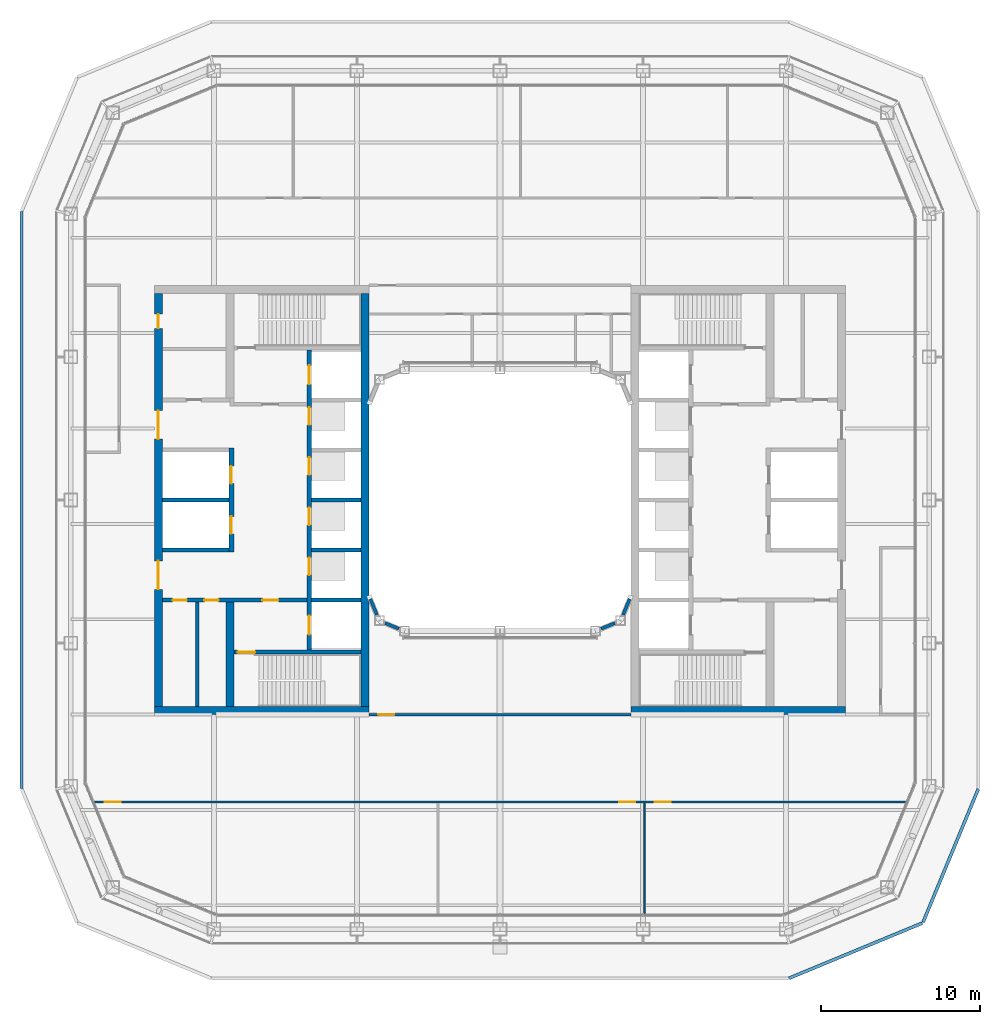
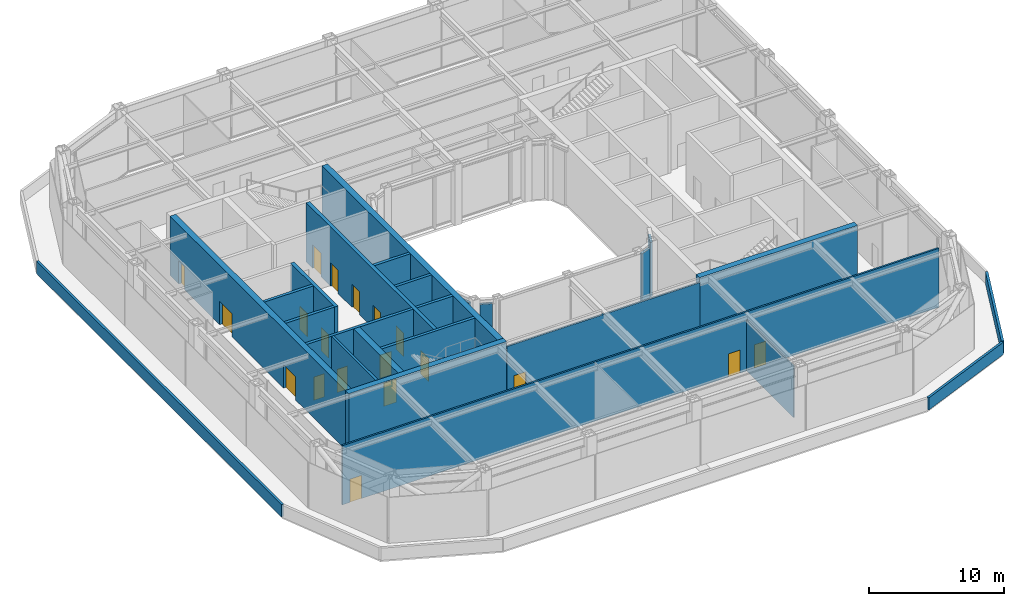
# One storey, part 11 of 19: 25 walls, 19 doors, 19 openings.
"""IFC4 building model written with IfcOpenShell, lengths in metres."""

from ifc_helpers import new_model, si_unit, direction, frame, frame_2d, origin, place, context, subcontext, project, spatial, rectangle, extrude, material, layer, layer_set, type_object, element, fill, save


model = new_model("IFC4")

# Units and contexts
model_context = context("Model", 3, precision=1e-05, world=origin(), true_north=direction((0.0, 1.0)))
body_context = subcontext(model_context, "Body", "Model", "MODEL_VIEW")
ifc_project = project(units=[si_unit("LENGTHUNIT", "METRE"), si_unit("AREAUNIT", "SQUARE_METRE"), si_unit("VOLUMEUNIT", "CUBIC_METRE"), si_unit("PLANEANGLEUNIT", "RADIAN"), si_unit("MASSUNIT", "GRAM", prefix="KILO")], contexts=[model_context])

# Site, building, storey
site_placement = place(None, origin())
site = spatial("IfcSite", under=ifc_project, at=site_placement, CompositionType="ELEMENT")
building_placement = place(site_placement, origin())
building = spatial("IfcBuilding", under=site, at=building_placement, Name="Siwar Civic Tower", CompositionType="ELEMENT")
storey_placement = place(building_placement, frame((0.0, 0.0, 187.199951171875)))
storey = spatial("IfcBuildingStorey", under=building, at=storey_placement, Name="L40", CompositionType="ELEMENT", Elevation=187.199951171875)

# Wall
ifc_material_1 = material(Name="Gypsum board on steel studs", Category="steel")
ifc_layer_1 = layer(ifc_material_1, 0.199951171875)
ifc_layer_set_1 = layer_set([ifc_layer_1], Name="Gypsum board on steel studs")
wall_type_1 = type_object("IfcWallType", Name="CORE-PARTITION-200", PredefinedType="PARTITIONING", material=ifc_layer_set_1)
wall_1_placement = place(storey_placement, frame((-19.050048828125, -13.0, 0.0), z_axis=(0.0, 0.0, 1.0), x_axis=(0.0, 1.0, 0.0)))
element("IfcWall", 1, at=wall_1_placement, inside=storey, type_object=wall_type_1, Name="Core partition W", PredefinedType="PARTITIONING", context=body_context, shape_type="SweptSolid", body=[
    extrude(rectangle(XDim=6.574951171875, YDim=0.199951171875, at=frame_2d((3.28759765625, 0.0))), origin(), (0.0, 0.0, 1.0), 5.35009765625),
])

# Wall, openings, doors
ifc_material_2 = material(Name="Concrete C60/75", Category="concrete")
ifc_layer_2 = layer(ifc_material_2, 0.25)
ifc_layer_set_2 = layer_set([ifc_layer_2], Name="Concrete C60/75")
wall_type_2 = type_object("IfcWallType", Name="CORE-WALL-RC250", PredefinedType="SHEAR", material=ifc_layer_set_2)
wall_2_placement = place(storey_placement, frame((-12.14990234375, -6.300048828125, 0.0), z_axis=(0.0, 0.0, 1.0), x_axis=(-1.0, 0.0, 0.0)))
wall_2 = element("IfcWall", 2, at=wall_2_placement, inside=storey, type_object=wall_type_2, Name="Core wall W", PredefinedType="SHEAR", context=body_context, shape_type="SweptSolid", body=[
    extrude(rectangle(XDim=9.10009765625, YDim=0.25, at=frame_2d((4.550048828125, 0.0))), origin(), (0.0, 0.0, 1.0), 5.35009765625),
])
opening_1_placement = place(wall_2_placement, frame((1.800048828125, 0.0, 0.0)))
opening_1 = element("IfcOpeningElement", 3, at=opening_1_placement, cuts=wall_2, Name="Opening L40-CW02", PredefinedType="OPENING", context=body_context, shape_type="SweptSolid", body=[
    extrude(rectangle(XDim=1.0, YDim=2.10009765625, at=frame_2d((0.5, 1.050048828125))), frame((0.0, 0.135009765625, 0.0), z_axis=(0.0, -1.0, 0.0), x_axis=(1.0, 0.0, 0.0)), (0.0, 0.0, 1.0), 0.27001953125),
])
opening_2_placement = place(wall_2_placement, frame((5.550048828125, 0.0, 0.0)))
opening_2 = element("IfcOpeningElement", 4, at=opening_2_placement, cuts=wall_2, Name="Opening L40-CW17", PredefinedType="OPENING", context=body_context, shape_type="SweptSolid", body=[
    extrude(rectangle(XDim=0.89990234375, YDim=2.10009765625, at=frame_2d((0.449951171875, 1.050048828125))), frame((0.0, 0.135009765625, 0.0), z_axis=(0.0, -1.0, 0.0), x_axis=(1.0, 0.0, 0.0)), (0.0, 0.0, 1.0), 0.27001953125),
])
opening_3_placement = place(wall_2_placement, frame((7.550048828125, 0.0, 0.0)))
opening_3 = element("IfcOpeningElement", 5, at=opening_3_placement, cuts=wall_2, Name="Opening L40-CW18", PredefinedType="OPENING", context=body_context, shape_type="SweptSolid", body=[
    extrude(rectangle(XDim=0.89990234375, YDim=2.10009765625, at=frame_2d((0.449951171875, 1.050048828125))), frame((0.0, 0.135009765625, 0.0), z_axis=(0.0, -1.0, 0.0), x_axis=(1.0, 0.0, 0.0)), (0.0, 0.0, 1.0), 0.27001953125),
])
ifc_material_3 = material(Name="Steel door leaf", Category="steel")
door_type_1 = type_object("IfcDoorType", Name="CORE-DOOR-FD30S", OperationType="SINGLE_SWING_LEFT", PredefinedType="DOOR", material=ifc_material_3)
door_1_placement = place(opening_1_placement, origin())
door_1 = element("IfcDoor", 6, at=door_1_placement, inside=storey, type_object=door_type_1, Name="Service lobby door L40-CW02", OperationType="SINGLE_SWING_RIGHT", OverallHeight=2.10009765625, OverallWidth=1.0, PredefinedType="DOOR", context=body_context, shape_type="SweptSolid", body=[
    extrude(rectangle(XDim=1.0, YDim=2.10009765625, at=frame_2d((0.5, 1.050048828125))), frame((0.0, 0.02490234375, 0.0), z_axis=(0.0, -1.0, 0.0), x_axis=(1.0, 0.0, 0.0)), (0.0, 0.0, 1.0), 0.050048828125),
])
fill(opening_1, door_1)
ifc_material_4 = material(Name="Steel door leaf", Category="steel")
door_type_2 = type_object("IfcDoorType", Name="CORE-DOOR-ROOM", OperationType="SINGLE_SWING_LEFT", PredefinedType="DOOR", material=ifc_material_4)
door_2_placement = place(opening_2_placement, origin())
door_2 = element("IfcDoor", 7, at=door_2_placement, inside=storey, type_object=door_type_2, Name="Core room door L40-CW17", OperationType="SINGLE_SWING_LEFT", OverallHeight=2.10009765625, OverallWidth=0.89990234375, PredefinedType="DOOR", context=body_context, shape_type="SweptSolid", body=[
    extrude(rectangle(XDim=0.89990234375, YDim=2.10009765625, at=frame_2d((0.449951171875, 1.050048828125))), frame((0.0, 0.02490234375, 0.0), z_axis=(0.0, -1.0, 0.0), x_axis=(1.0, 0.0, 0.0)), (0.0, 0.0, 1.0), 0.050048828125),
])
fill(opening_2, door_2)
door_3_placement = place(opening_3_placement, origin())
door_3 = element("IfcDoor", 8, at=door_3_placement, inside=storey, type_object=door_type_2, Name="Core room door L40-CW18", OperationType="SINGLE_SWING_RIGHT", OverallHeight=2.10009765625, OverallWidth=0.89990234375, PredefinedType="DOOR", context=body_context, shape_type="SweptSolid", body=[
    extrude(rectangle(XDim=0.89990234375, YDim=2.10009765625, at=frame_2d((0.449951171875, 1.050048828125))), frame((0.0, 0.02490234375, 0.0), z_axis=(0.0, -1.0, 0.0), x_axis=(1.0, 0.0, 0.0)), (0.0, 0.0, 1.0), 0.050048828125),
])
fill(opening_3, door_3)

# Walls
for number, where, z_axis, x_axis, name in (
    (9, (-17.050048828125, 0.0, 0.0), (0.0, 0.0, 1.0), (-1.0, 0.0, 0.0), "Core wall W"),
    (10, (-17.050048828125, -3.14990234375, 0.0), (0.0, 0.0, 1.0), (-1.0, 0.0, 0.0), "Core wall W"),
):
    element("IfcWall", number, at=place(storey_placement, frame(where, z_axis=z_axis, x_axis=x_axis)), inside=storey, type_object=wall_type_2, Name=name, PredefinedType="SHEAR", context=body_context, shape_type="SweptSolid", body=[
        extrude(rectangle(XDim=4.199951171875, YDim=0.25, at=frame_2d((2.10009765625, 0.0))), origin(), (0.0, 0.0, 1.0), 5.35009765625),
    ])
for number, where, z_axis, x_axis, name in (
    (11, (-8.75, 0.0, 0.0), (0.0, 0.0, 1.0), (-1.0, 0.0, 0.0), "Core wall W"),
    (12, (-8.75, -3.14990234375, 0.0), (0.0, 0.0, 1.0), (-1.0, 0.0, 0.0), "Core wall W"),
    (13, (-8.75, -6.300048828125, 0.0), (0.0, 0.0, 1.0), (-1.0, 0.0, 0.0), "Core wall W"),
):
    element("IfcWall", number, at=place(storey_placement, frame(where, z_axis=z_axis, x_axis=x_axis)), inside=storey, type_object=wall_type_2, Name=name, PredefinedType="SHEAR", context=body_context, shape_type="SweptSolid", body=[
        extrude(rectangle(XDim=3.10009765625, YDim=0.25, at=frame_2d((1.550048828125, 0.0))), origin(), (0.0, 0.0, 1.0), 5.35009765625),
    ])

# Wall, opening, door
wall_3_placement = place(storey_placement, frame((-8.75, -9.574951171875, 0.0), z_axis=(0.0, 0.0, 1.0), x_axis=(-1.0, 0.0, 0.0)))
wall_3 = element("IfcWall", 14, at=wall_3_placement, inside=storey, type_object=wall_type_2, Name="Core wall W", PredefinedType="SHEAR", context=body_context, shape_type="SweptSolid", body=[
    extrude(rectangle(XDim=8.0, YDim=0.25, at=frame_2d((4.0, 0.0))), origin(), (0.0, 0.0, 1.0), 5.35009765625),
])
opening_4_placement = place(wall_3_placement, frame((6.64990234375, 0.0, 0.0)))
opening_4 = element("IfcOpeningElement", 15, at=opening_4_placement, cuts=wall_3, Name="Opening L40-CW04", PredefinedType="OPENING", context=body_context, shape_type="SweptSolid", body=[
    extrude(rectangle(XDim=1.10009765625, YDim=2.10009765625, at=frame_2d((0.550048828125, 1.050048828125))), frame((0.0, 0.135009765625, 0.0), z_axis=(0.0, -1.0, 0.0), x_axis=(1.0, 0.0, 0.0)), (0.0, 0.0, 1.0), 0.27001953125),
])
ifc_material_5 = material(Name="Steel door leaf", Category="steel")
door_type_3 = type_object("IfcDoorType", Name="CORE-DOOR-FD60S", OperationType="SINGLE_SWING_LEFT", PredefinedType="DOOR", material=ifc_material_5)
door_4_placement = place(opening_4_placement, origin())
door_4 = element("IfcDoor", 16, at=door_4_placement, inside=storey, type_object=door_type_3, Name="Stair door L40-CW04", OperationType="SINGLE_SWING_LEFT", OverallHeight=2.10009765625, OverallWidth=1.10009765625, PredefinedType="DOOR", context=body_context, shape_type="SweptSolid", body=[
    extrude(rectangle(XDim=1.10009765625, YDim=2.10009765625, at=frame_2d((0.550048828125, 1.050048828125))), frame((0.0, 0.02490234375, 0.0), z_axis=(0.0, -1.0, 0.0), x_axis=(1.0, 0.0, 0.0)), (0.0, 0.0, 1.0), 0.050048828125),
])
fill(opening_4, door_4)

# Wall, openings, doors
ifc_material_6 = material(Name="Concrete C60/75", Category="concrete")
ifc_layer_3 = layer(ifc_material_6, 0.300048828125)
ifc_layer_set_3 = layer_set([ifc_layer_3], Name="Concrete C60/75")
wall_type_3 = type_object("IfcWallType", Name="CORE-WALL-RC300", PredefinedType="SHEAR", material=ifc_layer_set_3)
wall_4_placement = place(storey_placement, frame((-12.0, -9.449951171875, 0.0), z_axis=(0.0, 0.0, 1.0), x_axis=(0.0, 1.0, 0.0)))
wall_4 = element("IfcWall", 17, at=wall_4_placement, inside=storey, type_object=wall_type_3, Name="Core wall W", PredefinedType="SHEAR", context=body_context, shape_type="SweptSolid", body=[
    extrude(rectangle(XDim=18.89990234375, YDim=0.300048828125, at=frame_2d((9.449951171875, 0.0))), origin(), (0.0, 0.0, 1.0), 5.35009765625),
])
opening_5_placement = place(wall_4_placement, frame((4.72509765625, 0.0, 0.0)))
opening_5 = element("IfcOpeningElement", 18, at=opening_5_placement, cuts=wall_4, Name="Opening L40-CW07", PredefinedType="OPENING", context=body_context, shape_type="SweptSolid", body=[
    extrude(rectangle(XDim=1.10009765625, YDim=2.10009765625, at=frame_2d((0.550048828125, 1.050048828125))), frame((0.0, 0.16015625, 0.0), z_axis=(0.0, -1.0, 0.0), x_axis=(1.0, 0.0, 0.0)), (0.0, 0.0, 1.0), 0.320068359375),
])
opening_6_placement = place(wall_4_placement, frame((7.875, 0.0, 0.0)))
opening_6 = element("IfcOpeningElement", 19, at=opening_6_placement, cuts=wall_4, Name="Opening L40-CW08", PredefinedType="OPENING", context=body_context, shape_type="SweptSolid", body=[
    extrude(rectangle(XDim=1.10009765625, YDim=2.10009765625, at=frame_2d((0.550048828125, 1.050048828125))), frame((0.0, 0.16015625, 0.0), z_axis=(0.0, -1.0, 0.0), x_axis=(1.0, 0.0, 0.0)), (0.0, 0.0, 1.0), 0.320068359375),
])
opening_7_placement = place(wall_4_placement, frame((11.02490234375, 0.0, 0.0)))
opening_7 = element("IfcOpeningElement", 20, at=opening_7_placement, cuts=wall_4, Name="Opening L40-CW09", PredefinedType="OPENING", context=body_context, shape_type="SweptSolid", body=[
    extrude(rectangle(XDim=1.10009765625, YDim=2.10009765625, at=frame_2d((0.550048828125, 1.050048828125))), frame((0.0, 0.16015625, 0.0), z_axis=(0.0, -1.0, 0.0), x_axis=(1.0, 0.0, 0.0)), (0.0, 0.0, 1.0), 0.320068359375),
])
opening_8_placement = place(wall_4_placement, frame((14.175048828125, 0.0, 0.0)))
opening_8 = element("IfcOpeningElement", 21, at=opening_8_placement, cuts=wall_4, Name="Opening L40-CW10", PredefinedType="OPENING", context=body_context, shape_type="SweptSolid", body=[
    extrude(rectangle(XDim=1.10009765625, YDim=2.10009765625, at=frame_2d((0.550048828125, 1.050048828125))), frame((0.0, 0.16015625, 0.0), z_axis=(0.0, -1.0, 0.0), x_axis=(1.0, 0.0, 0.0)), (0.0, 0.0, 1.0), 0.320068359375),
])
opening_9_placement = place(wall_4_placement, frame((16.72509765625, 0.0, 0.0)))
opening_9 = element("IfcOpeningElement", 22, at=opening_9_placement, cuts=wall_4, Name="Opening L40-CW13", PredefinedType="OPENING", context=body_context, shape_type="SweptSolid", body=[
    extrude(rectangle(XDim=1.199951171875, YDim=2.10009765625, at=frame_2d((0.60009765625, 1.050048828125))), frame((0.0, 0.16015625, 0.0), z_axis=(0.0, -1.0, 0.0), x_axis=(1.0, 0.0, 0.0)), (0.0, 0.0, 1.0), 0.320068359375),
])
opening_10_placement = place(wall_4_placement, frame((0.97509765625, 0.0, 0.0)))
opening_10 = element("IfcOpeningElement", 23, at=opening_10_placement, cuts=wall_4, Name="Opening L40-CW14", PredefinedType="OPENING", context=body_context, shape_type="SweptSolid", body=[
    extrude(rectangle(XDim=1.199951171875, YDim=2.10009765625, at=frame_2d((0.60009765625, 1.050048828125))), frame((0.0, 0.16015625, 0.0), z_axis=(0.0, -1.0, 0.0), x_axis=(1.0, 0.0, 0.0)), (0.0, 0.0, 1.0), 0.320068359375),
])
ifc_material_7 = material(Name="Steel door leaf", Category="steel")
door_type_4 = type_object("IfcDoorType", Name="CORE-DOOR-LD", OperationType="DOUBLE_DOOR_SLIDING", PredefinedType="DOOR", material=ifc_material_7)
door_5_placement = place(opening_5_placement, origin())
door_5 = element("IfcDoor", 24, at=door_5_placement, inside=storey, type_object=door_type_4, Name="Landing door HR1 L40-CW07", OperationType="DOUBLE_DOOR_SLIDING", OverallHeight=2.10009765625, OverallWidth=1.10009765625, PredefinedType="DOOR", context=body_context, shape_type="SweptSolid", body=[
    extrude(rectangle(XDim=1.10009765625, YDim=2.10009765625, at=frame_2d((0.550048828125, 1.050048828125))), frame((0.0, 0.02490234375, 0.0), z_axis=(0.0, -1.0, 0.0), x_axis=(1.0, 0.0, 0.0)), (0.0, 0.0, 1.0), 0.050048828125),
])
fill(opening_5, door_5)
door_6_placement = place(opening_6_placement, origin())
door_6 = element("IfcDoor", 25, at=door_6_placement, inside=storey, type_object=door_type_4, Name="Landing door HR2 L40-CW08", OperationType="DOUBLE_DOOR_SLIDING", OverallHeight=2.10009765625, OverallWidth=1.10009765625, PredefinedType="DOOR", context=body_context, shape_type="SweptSolid", body=[
    extrude(rectangle(XDim=1.10009765625, YDim=2.10009765625, at=frame_2d((0.550048828125, 1.050048828125))), frame((0.0, 0.02490234375, 0.0), z_axis=(0.0, -1.0, 0.0), x_axis=(1.0, 0.0, 0.0)), (0.0, 0.0, 1.0), 0.050048828125),
])
fill(opening_6, door_6)
door_7_placement = place(opening_7_placement, origin())
door_7 = element("IfcDoor", 26, at=door_7_placement, inside=storey, type_object=door_type_4, Name="Landing door HR3 L40-CW09", OperationType="DOUBLE_DOOR_SLIDING", OverallHeight=2.10009765625, OverallWidth=1.10009765625, PredefinedType="DOOR", context=body_context, shape_type="SweptSolid", body=[
    extrude(rectangle(XDim=1.10009765625, YDim=2.10009765625, at=frame_2d((0.550048828125, 1.050048828125))), frame((0.0, 0.02490234375, 0.0), z_axis=(0.0, -1.0, 0.0), x_axis=(1.0, 0.0, 0.0)), (0.0, 0.0, 1.0), 0.050048828125),
])
fill(opening_7, door_7)
door_8_placement = place(opening_8_placement, origin())
door_8 = element("IfcDoor", 27, at=door_8_placement, inside=storey, type_object=door_type_4, Name="Landing door HR4 L40-CW10", OperationType="DOUBLE_DOOR_SLIDING", OverallHeight=2.10009765625, OverallWidth=1.10009765625, PredefinedType="DOOR", context=body_context, shape_type="SweptSolid", body=[
    extrude(rectangle(XDim=1.10009765625, YDim=2.10009765625, at=frame_2d((0.550048828125, 1.050048828125))), frame((0.0, 0.02490234375, 0.0), z_axis=(0.0, -1.0, 0.0), x_axis=(1.0, 0.0, 0.0)), (0.0, 0.0, 1.0), 0.050048828125),
])
fill(opening_8, door_8)
ifc_material_8 = material(Name="Steel door leaf", Category="steel")
door_type_5 = type_object("IfcDoorType", Name="CORE-DOOR-LDW", OperationType="DOUBLE_DOOR_SLIDING", PredefinedType="DOOR", material=ifc_material_8)
door_9_placement = place(opening_9_placement, origin())
door_9 = element("IfcDoor", 28, at=door_9_placement, inside=storey, type_object=door_type_5, Name="Landing door FF1 L40-CW13", OperationType="DOUBLE_DOOR_SLIDING", OverallHeight=2.10009765625, OverallWidth=1.199951171875, PredefinedType="DOOR", context=body_context, shape_type="SweptSolid", body=[
    extrude(rectangle(XDim=1.199951171875, YDim=2.10009765625, at=frame_2d((0.60009765625, 1.050048828125))), frame((0.0, 0.02490234375, 0.0), z_axis=(0.0, -1.0, 0.0), x_axis=(1.0, 0.0, 0.0)), (0.0, 0.0, 1.0), 0.050048828125),
])
fill(opening_9, door_9)
door_10_placement = place(opening_10_placement, origin())
door_10 = element("IfcDoor", 29, at=door_10_placement, inside=storey, type_object=door_type_5, Name="Landing door SV1 L40-CW14", OperationType="DOUBLE_DOOR_SLIDING", OverallHeight=2.10009765625, OverallWidth=1.199951171875, PredefinedType="DOOR", context=body_context, shape_type="SweptSolid", body=[
    extrude(rectangle(XDim=1.199951171875, YDim=2.10009765625, at=frame_2d((0.60009765625, 1.050048828125))), frame((0.0, 0.02490234375, 0.0), z_axis=(0.0, -1.0, 0.0), x_axis=(1.0, 0.0, 0.0)), (0.0, 0.0, 1.0), 0.050048828125),
])
fill(opening_10, door_10)

wall_5_placement = place(storey_placement, frame((-16.89990234375, -3.27490234375, 0.0), z_axis=(0.0, 0.0, 1.0), x_axis=(0.0, 1.0, 0.0)))
wall_5 = element("IfcWall", 30, at=wall_5_placement, inside=storey, type_object=wall_type_3, Name="Core wall W", PredefinedType="SHEAR", context=body_context, shape_type="SweptSolid", body=[
    extrude(rectangle(XDim=6.5498046875, YDim=0.300048828125, at=frame_2d((3.27490234375, 0.0))), origin(), (0.0, 0.0, 1.0), 5.35009765625),
])
opening_11_placement = place(wall_5_placement, frame((1.14990234375, 0.0, 0.0)))
opening_11 = element("IfcOpeningElement", 31, at=opening_11_placement, cuts=wall_5, Name="Opening L40-CW11", PredefinedType="OPENING", context=body_context, shape_type="SweptSolid", body=[
    extrude(rectangle(XDim=1.10009765625, YDim=2.10009765625, at=frame_2d((0.550048828125, 1.050048828125))), frame((0.0, 0.16015625, 0.0), z_axis=(0.0, -1.0, 0.0), x_axis=(1.0, 0.0, 0.0)), (0.0, 0.0, 1.0), 0.320068359375),
])
opening_12_placement = place(wall_5_placement, frame((4.300048828125, 0.0, 0.0)))
opening_12 = element("IfcOpeningElement", 32, at=opening_12_placement, cuts=wall_5, Name="Opening L40-CW12", PredefinedType="OPENING", context=body_context, shape_type="SweptSolid", body=[
    extrude(rectangle(XDim=1.10009765625, YDim=2.10009765625, at=frame_2d((0.550048828125, 1.050048828125))), frame((0.0, 0.16015625, 0.0), z_axis=(0.0, -1.0, 0.0), x_axis=(1.0, 0.0, 0.0)), (0.0, 0.0, 1.0), 0.320068359375),
])
door_11_placement = place(opening_11_placement, origin())
door_11 = element("IfcDoor", 33, at=door_11_placement, inside=storey, type_object=door_type_4, Name="Landing door SH1 L40-CW11", OperationType="DOUBLE_DOOR_SLIDING", OverallHeight=2.10009765625, OverallWidth=1.10009765625, PredefinedType="DOOR", context=body_context, shape_type="SweptSolid", body=[
    extrude(rectangle(XDim=1.10009765625, YDim=2.10009765625, at=frame_2d((0.550048828125, 1.050048828125))), frame((0.0, 0.02490234375, 0.0), z_axis=(0.0, -1.0, 0.0), x_axis=(1.0, 0.0, 0.0)), (0.0, 0.0, 1.0), 0.050048828125),
])
fill(opening_11, door_11)
door_12_placement = place(opening_12_placement, origin())
door_12 = element("IfcDoor", 34, at=door_12_placement, inside=storey, type_object=door_type_4, Name="Landing door SH2 L40-CW12", OperationType="DOUBLE_DOOR_SLIDING", OverallHeight=2.10009765625, OverallWidth=1.10009765625, PredefinedType="DOOR", context=body_context, shape_type="SweptSolid", body=[
    extrude(rectangle(XDim=1.10009765625, YDim=2.10009765625, at=frame_2d((0.550048828125, 1.050048828125))), frame((0.0, 0.02490234375, 0.0), z_axis=(0.0, -1.0, 0.0), x_axis=(1.0, 0.0, 0.0)), (0.0, 0.0, 1.0), 0.050048828125),
])
fill(opening_12, door_12)

ifc_material_9 = material(Name="Concrete C60/75", Category="concrete")
ifc_layer_4 = layer(ifc_material_9, 0.5)
ifc_layer_set_4 = layer_set([ifc_layer_4], Name="Concrete C60/75")
wall_type_4 = type_object("IfcWallType", Name="CORE-WALL-RC500", PredefinedType="SHEAR", material=ifc_layer_set_4)
wall_6_placement = place(storey_placement, frame((-21.5, -13.0, 0.0), z_axis=(0.0, 0.0, 1.0), x_axis=(0.0, 1.0, 0.0)))
wall_6 = element("IfcWall", 35, at=wall_6_placement, inside=storey, type_object=wall_type_4, Name="Core wall W", PredefinedType="SHEAR", context=body_context, shape_type="SweptSolid", body=[
    extrude(rectangle(XDim=26.0, YDim=0.5, at=frame_2d((13.0, 0.0))), origin(), (0.0, 0.0, 1.0), 5.35009765625),
])
opening_13_placement = place(wall_6_placement, frame((16.824951171875, 0.0, 0.0)))
opening_13 = element("IfcOpeningElement", 36, at=opening_13_placement, cuts=wall_6, Name="Opening L40-CW05", PredefinedType="OPENING", context=body_context, shape_type="SweptSolid", body=[
    extrude(rectangle(XDim=1.800048828125, YDim=2.10009765625, at=frame_2d((0.89990234375, 1.050048828125))), frame((0.0, 0.260009765625, 0.0), z_axis=(0.0, -1.0, 0.0), x_axis=(1.0, 0.0, 0.0)), (0.0, 0.0, 1.0), 0.52001953125),
])
opening_14_placement = place(wall_6_placement, frame((7.375, 0.0, 0.0)))
opening_14 = element("IfcOpeningElement", 37, at=opening_14_placement, cuts=wall_6, Name="Opening L40-CW06", PredefinedType="OPENING", context=body_context, shape_type="SweptSolid", body=[
    extrude(rectangle(XDim=1.800048828125, YDim=2.10009765625, at=frame_2d((0.89990234375, 1.050048828125))), frame((0.0, 0.260009765625, 0.0), z_axis=(0.0, -1.0, 0.0), x_axis=(1.0, 0.0, 0.0)), (0.0, 0.0, 1.0), 0.52001953125),
])
opening_15_placement = place(wall_6_placement, frame((23.800048828125, 0.0, 0.0)))
opening_15 = element("IfcOpeningElement", 38, at=opening_15_placement, cuts=wall_6, Name="Opening L40-CW16", PredefinedType="OPENING", context=body_context, shape_type="SweptSolid", body=[
    extrude(rectangle(XDim=0.89990234375, YDim=2.10009765625, at=frame_2d((0.449951171875, 1.050048828125))), frame((0.0, 0.260009765625, 0.0), z_axis=(0.0, -1.0, 0.0), x_axis=(1.0, 0.0, 0.0)), (0.0, 0.0, 1.0), 0.52001953125),
])
ifc_material_10 = material(Name="Steel door leaf", Category="steel")
door_type_6 = type_object("IfcDoorType", Name="CORE-DOOR-PORT", OperationType="DOUBLE_DOOR_DOUBLE_SWING", PredefinedType="DOOR", material=ifc_material_10)
door_13_placement = place(opening_13_placement, origin())
door_13 = element("IfcDoor", 39, at=door_13_placement, inside=storey, type_object=door_type_6, Name="Core entrance door L40-CW05", OperationType="DOUBLE_DOOR_DOUBLE_SWING", OverallHeight=2.10009765625, OverallWidth=1.800048828125, PredefinedType="DOOR", context=body_context, shape_type="SweptSolid", body=[
    extrude(rectangle(XDim=1.800048828125, YDim=2.10009765625, at=frame_2d((0.89990234375, 1.050048828125))), frame((0.0, 0.02490234375, 0.0), z_axis=(0.0, -1.0, 0.0), x_axis=(1.0, 0.0, 0.0)), (0.0, 0.0, 1.0), 0.050048828125),
])
fill(opening_13, door_13)
door_14_placement = place(opening_14_placement, origin())
door_14 = element("IfcDoor", 40, at=door_14_placement, inside=storey, type_object=door_type_6, Name="Core entrance door L40-CW06", OperationType="DOUBLE_DOOR_DOUBLE_SWING", OverallHeight=2.10009765625, OverallWidth=1.800048828125, PredefinedType="DOOR", context=body_context, shape_type="SweptSolid", body=[
    extrude(rectangle(XDim=1.800048828125, YDim=2.10009765625, at=frame_2d((0.89990234375, 1.050048828125))), frame((0.0, 0.02490234375, 0.0), z_axis=(0.0, -1.0, 0.0), x_axis=(1.0, 0.0, 0.0)), (0.0, 0.0, 1.0), 0.050048828125),
])
fill(opening_14, door_14)
door_15_placement = place(opening_15_placement, origin())
door_15 = element("IfcDoor", 41, at=door_15_placement, inside=storey, type_object=door_type_2, Name="Core room door L40-CW16", OperationType="SINGLE_SWING_LEFT", OverallHeight=2.10009765625, OverallWidth=0.89990234375, PredefinedType="DOOR", context=body_context, shape_type="SweptSolid", body=[
    extrude(rectangle(XDim=0.89990234375, YDim=2.10009765625, at=frame_2d((0.449951171875, 1.050048828125))), frame((0.0, 0.02490234375, 0.0), z_axis=(0.0, -1.0, 0.0), x_axis=(1.0, 0.0, 0.0)), (0.0, 0.0, 1.0), 0.050048828125),
])
fill(opening_15, door_15)

# Walls
wall_7_placement = place(storey_placement, frame((-17.0, -13.0, 0.0), z_axis=(0.0, 0.0, 1.0), x_axis=(0.0, 1.0, 0.0)))
element("IfcWall", 42, at=wall_7_placement, inside=storey, type_object=wall_type_4, Name="Core wall W", PredefinedType="SHEAR", context=body_context, shape_type="SweptSolid", body=[
    extrude(rectangle(XDim=6.574951171875, YDim=0.5, at=frame_2d((3.28759765625, 0.0))), origin(), (0.0, 0.0, 1.0), 5.35009765625),
])
for number, where, z_axis, x_axis, name in (
    (43, (-8.25, -13.25, 0.0), (0.0, 0.0, 1.0), (-1.0, 0.0, 0.0), "Core wall W"),
    (44, (8.25, -13.25, 0.0), (0.0, 0.0, 1.0), (1.0, 0.0, 0.0), "Core wall E"),
):
    element("IfcWall", number, at=place(storey_placement, frame(where, z_axis=z_axis, x_axis=x_axis)), inside=storey, type_object=wall_type_4, Name=name, PredefinedType="SHEAR", context=body_context, shape_type="SweptSolid", body=[
        extrude(rectangle(XDim=13.5, YDim=0.5, at=frame_2d((6.75, 0.0))), origin(), (0.0, 0.0, 1.0), 5.35009765625),
    ])
ifc_material_11 = material(Name="Concrete C60/75", Category="concrete")
ifc_layer_5 = layer(ifc_material_11, 0.5)
ifc_layer_set_5 = layer_set([ifc_layer_5], Name="Concrete C60/75")
wall_type_5 = type_object("IfcWallType", Name="CORE-WALL-RC500-EXT", PredefinedType="SHEAR", material=ifc_layer_set_5)
wall_8_placement = place(storey_placement, frame((-8.5, -13.0, 0.0), z_axis=(0.0, 0.0, 1.0), x_axis=(0.0, 1.0, 0.0)))
element("IfcWall", 45, at=wall_8_placement, inside=storey, type_object=wall_type_5, Name="Core wall W", PredefinedType="SHEAR", context=body_context, shape_type="SweptSolid", body=[
    extrude(rectangle(XDim=26.0, YDim=0.5, at=frame_2d((13.0, 0.0))), origin(), (0.0, 0.0, 1.0), 5.35009765625),
])

# Wall, openings, doors
ifc_material_12 = material(Name="Gypsum board on steel studs", Category="steel")
ifc_layer_6 = layer(ifc_material_12, 0.14990234375)
ifc_layer_set_6 = layer_set([ifc_layer_6], Name="Gypsum board on steel studs")
wall_type_6 = type_object("IfcWallType", Name="CORRIDOR PARTITION 150 EI 30", PredefinedType="PARTITIONING", material=ifc_layer_set_6)
wall_9_placement = place(storey_placement, frame((-25.513916015625, -19.0, 0.0), z_axis=(0.0, 0.0, 1.0), x_axis=(1.0, 0.0, 0.0)))
wall_9 = element("IfcWall", 46, at=wall_9_placement, inside=storey, type_object=wall_type_6, Name="L40/wall/P01", PredefinedType="PARTITIONING", context=body_context, shape_type="SweptSolid", body=[
    extrude(rectangle(XDim=51.02783203125, YDim=0.14990234375, at=frame_2d((25.513916015625, 0.0))), origin(), (0.0, 0.0, 1.0), 5.35009765625),
])
opening_16_placement = place(wall_9_placement, frame((0.64990234375, 0.0, 0.0)))
opening_16 = element("IfcOpeningElement", 47, at=opening_16_placement, cuts=wall_9, Name="Opening D1", PredefinedType="OPENING", context=body_context, shape_type="SweptSolid", body=[
    extrude(rectangle(XDim=1.0, YDim=2.10009765625, at=frame_2d((0.5, 1.050048828125))), frame((0.0, 0.0849609375, 0.0), z_axis=(0.0, -1.0, 0.0), x_axis=(1.0, 0.0, 0.0)), (0.0, 0.0, 1.0), 0.169921875),
])
opening_17_placement = place(wall_9_placement, frame((33.013916015625, 0.0, 0.0)))
opening_17 = element("IfcOpeningElement", 48, at=opening_17_placement, cuts=wall_9, Name="Opening D1", PredefinedType="OPENING", context=body_context, shape_type="SweptSolid", body=[
    extrude(rectangle(XDim=1.0, YDim=2.10009765625, at=frame_2d((0.5, 1.050048828125))), frame((0.0, 0.0849609375, 0.0), z_axis=(0.0, -1.0, 0.0), x_axis=(1.0, 0.0, 0.0)), (0.0, 0.0, 1.0), 0.169921875),
])
opening_18_placement = place(wall_9_placement, frame((35.263916015625, 0.0, 0.0)))
opening_18 = element("IfcOpeningElement", 49, at=opening_18_placement, cuts=wall_9, Name="Opening D1", PredefinedType="OPENING", context=body_context, shape_type="SweptSolid", body=[
    extrude(rectangle(XDim=1.0, YDim=2.10009765625, at=frame_2d((0.5, 1.050048828125))), frame((0.0, 0.0849609375, 0.0), z_axis=(0.0, -1.0, 0.0), x_axis=(1.0, 0.0, 0.0)), (0.0, 0.0, 1.0), 0.169921875),
])
ifc_material_13 = material(Name="Timber, painted", Category="wood")
door_type_7 = type_object("IfcDoorType", Name="DOOR 1000 X 2100 FD30", OperationType="SINGLE_SWING_LEFT", PredefinedType="DOOR", material=ifc_material_13)
door_16_placement = place(opening_16_placement, origin())
door_16 = element("IfcDoor", 50, at=door_16_placement, inside=storey, type_object=door_type_7, Name="L40-D05", OperationType="SINGLE_SWING_LEFT", OverallHeight=2.10009765625, OverallWidth=1.0, PredefinedType="DOOR", context=body_context, shape_type="SweptSolid", body=[
    extrude(rectangle(XDim=1.0, YDim=2.10009765625, at=frame_2d((0.5, 1.050048828125))), frame((0.0, 0.02490234375, 0.0), z_axis=(0.0, -1.0, 0.0), x_axis=(1.0, 0.0, 0.0)), (0.0, 0.0, 1.0), 0.050048828125),
])
fill(opening_16, door_16)
door_17_placement = place(opening_17_placement, origin())
door_17 = element("IfcDoor", 51, at=door_17_placement, inside=storey, type_object=door_type_7, Name="L40-D06", OperationType="SINGLE_SWING_RIGHT", OverallHeight=2.10009765625, OverallWidth=1.0, PredefinedType="DOOR", context=body_context, shape_type="SweptSolid", body=[
    extrude(rectangle(XDim=1.0, YDim=2.10009765625, at=frame_2d((0.5, 1.050048828125))), frame((0.0, 0.02490234375, 0.0), z_axis=(0.0, -1.0, 0.0), x_axis=(1.0, 0.0, 0.0)), (0.0, 0.0, 1.0), 0.050048828125),
])
fill(opening_17, door_17)
door_18_placement = place(opening_18_placement, origin())
door_18 = element("IfcDoor", 52, at=door_18_placement, inside=storey, type_object=door_type_7, Name="L40-D07", OperationType="SINGLE_SWING_LEFT", OverallHeight=2.10009765625, OverallWidth=1.0, PredefinedType="DOOR", context=body_context, shape_type="SweptSolid", body=[
    extrude(rectangle(XDim=1.0, YDim=2.10009765625, at=frame_2d((0.5, 1.050048828125))), frame((0.0, 0.02490234375, 0.0), z_axis=(0.0, -1.0, 0.0), x_axis=(1.0, 0.0, 0.0)), (0.0, 0.0, 1.0), 0.050048828125),
])
fill(opening_18, door_18)

# Wall, opening, door
wall_10_placement = place(storey_placement, frame((-8.25, -13.5, 0.0), z_axis=(0.0, 0.0, 1.0), x_axis=(1.0, 0.0, 0.0)))
wall_10 = element("IfcWall", 53, at=wall_10_placement, inside=storey, type_object=wall_type_6, Name="L40/wall/P02", PredefinedType="PARTITIONING", context=body_context, shape_type="SweptSolid", body=[
    extrude(rectangle(XDim=16.5, YDim=0.14990234375, at=frame_2d((8.25, 0.0))), origin(), (0.0, 0.0, 1.0), 4.949951171875),
])
opening_19_placement = place(wall_10_placement, frame((0.60009765625, 0.0, 0.0)))
opening_19 = element("IfcOpeningElement", 54, at=opening_19_placement, cuts=wall_10, Name="Opening D1", PredefinedType="OPENING", context=body_context, shape_type="SweptSolid", body=[
    extrude(rectangle(XDim=1.0, YDim=2.10009765625, at=frame_2d((0.5, 1.050048828125))), frame((0.0, 0.0849609375, 0.0), z_axis=(0.0, -1.0, 0.0), x_axis=(1.0, 0.0, 0.0)), (0.0, 0.0, 1.0), 0.169921875),
])
door_19_placement = place(opening_19_placement, origin())
door_19 = element("IfcDoor", 55, at=door_19_placement, inside=storey, type_object=door_type_7, Name="L40-D08", OperationType="SINGLE_SWING_RIGHT", OverallHeight=2.10009765625, OverallWidth=1.0, PredefinedType="DOOR", context=body_context, shape_type="SweptSolid", body=[
    extrude(rectangle(XDim=1.0, YDim=2.10009765625, at=frame_2d((0.5, 1.050048828125))), frame((0.0, 0.02490234375, 0.0), z_axis=(0.0, -1.0, 0.0), x_axis=(1.0, 0.0, 0.0)), (0.0, 0.0, 1.0), 0.050048828125),
])
fill(opening_19, door_19)

# Walls
ifc_material_14 = material(Name="Aluminium clad insulated panel", Category="aluminium")
ifc_layer_7 = layer(ifc_material_14, 0.199951171875)
ifc_layer_set_7 = layer_set([ifc_layer_7], Name="Aluminium clad insulated panel")
wall_type_7 = type_object("IfcWallType", Name="ENV-PARAPET", PredefinedType="PARAPET", material=ifc_layer_set_7)
for number, where, z_axis, x_axis, name in (
    (56, (18.1875, -30.09228515625, 0.0), (0.0, 0.0, 1.0), (0.923880028342, 0.382682235321, 0.0), "Parapet L39 roof 1.3"),
    (57, (26.621337890625, -26.567138671875, 0.0), (0.0, 0.0, 1.0), (0.382682235321, 0.923880028342, 0.0), "Parapet L39 roof 1.4"),
):
    element("IfcWall", number, at=place(storey_placement, frame(where, z_axis=z_axis, x_axis=x_axis)), inside=storey, type_object=wall_type_7, Name=name, PredefinedType="PARAPET", context=body_context, shape_type="SweptSolid", body=[
        extrude(rectangle(XDim=9.070068359375, YDim=0.199951171875, at=frame_2d((4.53515625, 0.0))), origin(), (0.0, 0.0, 1.0), 1.10009765625),
    ])
wall_11_placement = place(storey_placement, frame((-30.10009765625, 18.149169921875, 0.0), z_axis=(0.0, 0.0, 1.0), x_axis=(0.0, -1.0, 0.0)))
element("IfcWall", 58, at=wall_11_placement, inside=storey, type_object=wall_type_7, Name="Parapet L39 roof 1.11", PredefinedType="PARAPET", context=body_context, shape_type="SweptSolid", body=[
    extrude(rectangle(XDim=36.29833984375, YDim=0.199951171875, at=frame_2d((18.149169921875, 0.0))), origin(), (0.0, 0.0, 1.0), 1.10009765625),
])
ifc_material_15 = material(Name="Aluminium clad insulated panel", Category="aluminium")
ifc_layer_8 = layer(ifc_material_15, 0.199951171875)
ifc_layer_set_8 = layer_set([ifc_layer_8], Name="Aluminium clad insulated panel")
wall_type_8 = type_object("IfcWallType", Name="ENV-WALL-WELL", PredefinedType="STANDARD", material=ifc_layer_set_8)
wall_12_placement = place(storey_placement, frame((6.362060546875, -8.10009765625, 0.0), z_axis=(0.0, 0.0, 1.0), x_axis=(0.923829670615, 0.382803787458, 0.0)))
element("IfcWall", 59, at=wall_12_placement, inside=storey, type_object=wall_type_8, Name="Light well corner wall SE1", PredefinedType="STANDARD", context=body_context, shape_type="SweptSolid", body=[
    extrude(rectangle(XDim=0.938232421875, YDim=0.199951171875, at=frame_2d((0.46923828125, 0.0))), origin(), (0.0, 0.0, 1.0), 4.91796875),
])
for number, where, z_axis, x_axis, name in (
    (60, (7.740966796875, -7.228759765625, 0.0), (0.0, 0.0, 1.0), (0.382704496366, 0.923870807235, 0.0), "Light well corner wall SE2"),
    (61, (-8.154296875, -6.23095703125, 0.0), (0.0, 0.0, 1.0), (0.382704496366, -0.923870807235, 0.0), "Light well corner wall SW1"),
):
    element("IfcWall", number, at=place(storey_placement, frame(where, z_axis=z_axis, x_axis=x_axis)), inside=storey, type_object=wall_type_8, Name=name, PredefinedType="STANDARD", context=body_context, shape_type="SweptSolid", body=[
        extrude(rectangle(XDim=1.080078125, YDim=0.199951171875, at=frame_2d((0.5400390625, 0.0))), origin(), (0.0, 0.0, 1.0), 4.91796875),
    ])
wall_13_placement = place(storey_placement, frame((-7.228759765625, -7.740966796875, 0.0), z_axis=(0.0, 0.0, 1.0), x_axis=(0.923829670615, -0.382803787458, 0.0)))
element("IfcWall", 62, at=wall_13_placement, inside=storey, type_object=wall_type_8, Name="Light well corner wall SW2", PredefinedType="STANDARD", context=body_context, shape_type="SweptSolid", body=[
    extrude(rectangle(XDim=0.938232421875, YDim=0.199951171875, at=frame_2d((0.46923828125, 0.0))), origin(), (0.0, 0.0, 1.0), 4.91796875),
])
ifc_material_16 = material(Name="Gypsum board on steel studs", Category="steel")
ifc_layer_9 = layer(ifc_material_16, 0.10009765625)
ifc_layer_set_9 = layer_set([ifc_layer_9], Name="Gypsum board on steel studs")
wall_type_9 = type_object("IfcWallType", Name="PARTITION 100 GYPSUM", PredefinedType="PARTITIONING", material=ifc_layer_set_9)
wall_14_placement = place(storey_placement, frame((9.10009765625, -26.010009765625, 0.0), z_axis=(0.0, 0.0, 1.0), x_axis=(0.0, 1.0, 0.0)))
element("IfcWall", 63, at=wall_14_placement, inside=storey, type_object=wall_type_9, Name="L40/wall/P19", PredefinedType="PARTITIONING", context=body_context, shape_type="SweptSolid", body=[
    extrude(rectangle(XDim=6.93505859375, YDim=0.10009765625, at=frame_2d((3.467529296875, 0.0))), origin(), (0.0, 0.0, 1.0), 4.650146484375),
])

save(model, "model.ifc")
